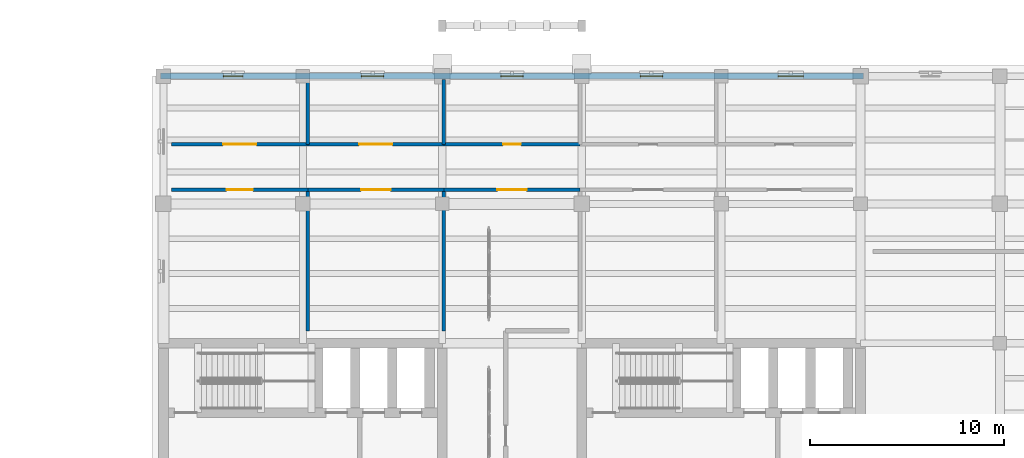
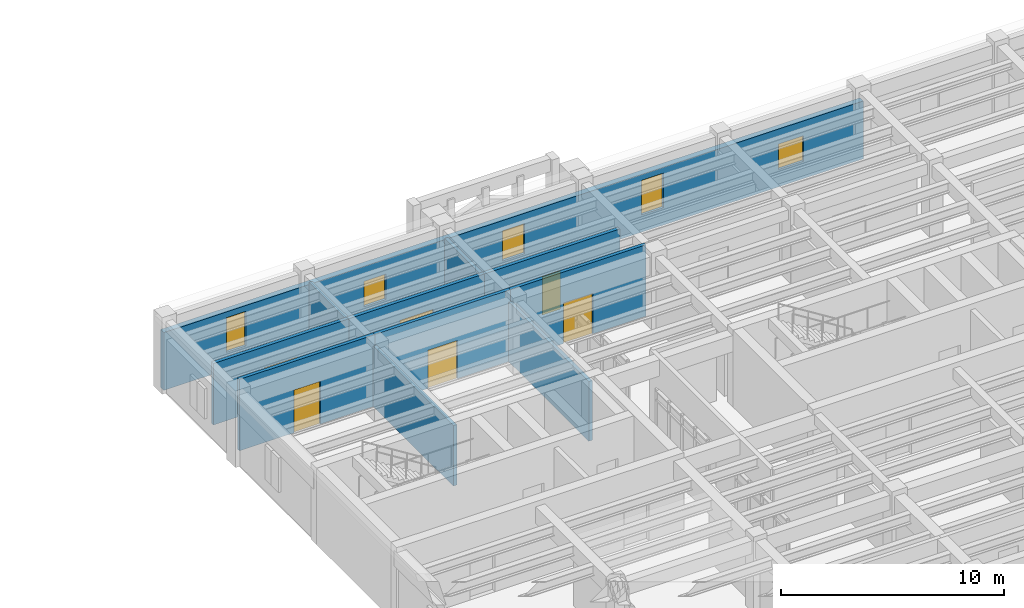
# One storey, part 58 of 76: 11 walls, 6 doors, 5 windows, 11 openings.
"""IFC4 building model written with IfcOpenShell, lengths in metres."""

from ifc_helpers import new_model, si_unit, direction, frame, frame_2d, origin, place, context, subcontext, project, spatial, rectangle, extrude, material, layer, layer_set, type_object, element, fill, save


model = new_model("IFC4")

# Units and contexts
model_context = context("Model", 3, precision=1e-05, world=origin(), true_north=direction((0.0, 1.0)))
body_context = subcontext(model_context, "Body", "Model", "MODEL_VIEW")
ifc_project = project(units=[si_unit("LENGTHUNIT", "METRE"), si_unit("AREAUNIT", "SQUARE_METRE"), si_unit("VOLUMEUNIT", "CUBIC_METRE"), si_unit("PLANEANGLEUNIT", "RADIAN"), si_unit("MASSUNIT", "GRAM", prefix="KILO")], contexts=[model_context])

# Site, building, storey
site_placement = place(None, origin())
site = spatial("IfcSite", under=ifc_project, at=site_placement, CompositionType="ELEMENT")
building_placement = place(site_placement, origin())
building = spatial("IfcBuilding", under=site, at=building_placement, Name="Mithqara Police Headquarters", CompositionType="ELEMENT")
storey_placement = place(building_placement, frame((0.0, 0.0, 5.39990234375)))
storey = spatial("IfcBuildingStorey", under=building, at=storey_placement, Name="L01", CompositionType="ELEMENT", Elevation=5.39990234375)

# Wall, openings, windows
ifc_material_1 = material(Name="Ochre masonry cavity wall, 35 MPa", Category="masonry")
ifc_layer_1 = layer(ifc_material_1, 0.300048828125, Name="Ochre masonry cavity wall, 35 MPa")
ifc_layer_set_1 = layer_set([ifc_layer_1], Name="Ochre masonry cavity wall, 35 MPa")
wall_type_1 = type_object("IfcWallType", Name="EXT WALL OCHRE BRICK300", PredefinedType="SOLIDWALL", material=ifc_layer_set_1)
wall_1_placement = place(storey_placement, frame((144.75, 114.0, 0.0), z_axis=(0.0, 0.0, 1.0), x_axis=(-1.0, 0.0, 0.0)))
wall_1 = element("IfcWall", 1, at=wall_1_placement, inside=storey, type_object=wall_type_1, Name="L01 Exterior Wall 10.1", PredefinedType="SOLIDWALL", context=body_context, shape_type="SweptSolid", body=[
    extrude(rectangle(XDim=36.300048828125, YDim=0.300048828125, at=frame_2d((18.14990234375, 0.0))), origin(), (0.0, 0.0, 1.0), 3.170166015625),
])
opening_1_placement = place(wall_1_placement, frame((32.050048828125, 0.0, 0.949951171875)))
opening_1 = element("IfcOpeningElement", 2, at=opening_1_placement, cuts=wall_1, Name="Opening W-08", PredefinedType="OPENING", context=body_context, shape_type="SweptSolid", body=[
    extrude(rectangle(XDim=1.0, YDim=1.89990234375, at=frame_2d((0.5, 0.949951171875))), frame((0.0, 0.16015625, 0.0), z_axis=(0.0, -1.0, 0.0), x_axis=(1.0, 0.0, 0.0)), (0.0, 0.0, 1.0), 0.320068359375),
])
opening_2_placement = place(wall_1_placement, frame((24.77490234375, 0.0, 0.949951171875)))
opening_2 = element("IfcOpeningElement", 3, at=opening_2_placement, cuts=wall_1, Name="Opening W-11", PredefinedType="OPENING", context=body_context, shape_type="SweptSolid", body=[
    extrude(rectangle(XDim=1.14990234375, YDim=1.39990234375, at=frame_2d((0.574951171875, 0.699951171875))), frame((0.0, 0.16015625, 0.0), z_axis=(0.0, -1.0, 0.0), x_axis=(1.0, 0.0, 0.0)), (0.0, 0.0, 1.0), 0.320068359375),
])
opening_3_placement = place(wall_1_placement, frame((17.574951171875, 0.0, 0.949951171875)))
opening_3 = element("IfcOpeningElement", 4, at=opening_3_placement, cuts=wall_1, Name="Opening W-12", PredefinedType="OPENING", context=body_context, shape_type="SweptSolid", body=[
    extrude(rectangle(XDim=1.14990234375, YDim=1.64990234375, at=frame_2d((0.574951171875, 0.824951171875))), frame((0.0, 0.16015625, 0.0), z_axis=(0.0, -1.0, 0.0), x_axis=(1.0, 0.0, 0.0)), (0.0, 0.0, 1.0), 0.320068359375),
])
opening_4_placement = place(wall_1_placement, frame((10.375, 0.0, 0.949951171875)))
opening_4 = element("IfcOpeningElement", 5, at=opening_4_placement, cuts=wall_1, Name="Opening W-13", PredefinedType="OPENING", context=body_context, shape_type="SweptSolid", body=[
    extrude(rectangle(XDim=1.14990234375, YDim=1.89990234375, at=frame_2d((0.574951171875, 0.949951171875))), frame((0.0, 0.16015625, 0.0), z_axis=(0.0, -1.0, 0.0), x_axis=(1.0, 0.0, 0.0)), (0.0, 0.0, 1.0), 0.320068359375),
])
opening_5_placement = place(wall_1_placement, frame((3.10009765625, 0.0, 0.949951171875)))
opening_5 = element("IfcOpeningElement", 6, at=opening_5_placement, cuts=wall_1, Name="Opening W-16", PredefinedType="OPENING", context=body_context, shape_type="SweptSolid", body=[
    extrude(rectangle(XDim=1.300048828125, YDim=1.39990234375, at=frame_2d((0.64990234375, 0.699951171875))), frame((0.0, 0.16015625, 0.0), z_axis=(0.0, -1.0, 0.0), x_axis=(1.0, 0.0, 0.0)), (0.0, 0.0, 1.0), 0.320068359375),
])
ifc_material_2 = material(Name="Spectrally selective double low-e glass", Category="glass")
window_type_1 = type_object("IfcWindowType", Name="WINDOW 1000X1900", PartitioningType="SINGLE_PANEL", PredefinedType="WINDOW", material=ifc_material_2)
window_1_placement = place(opening_1_placement, origin())
window_1 = element("IfcWindow", 7, at=window_1_placement, inside=storey, type_object=window_type_1, Name="L01 Command Block Screened Window 10.1", OverallHeight=1.89990234375, OverallWidth=1.0, PartitioningType="SINGLE_PANEL", PredefinedType="WINDOW", context=body_context, shape_type="SweptSolid", body=[
    extrude(rectangle(XDim=1.0, YDim=1.89990234375, at=frame_2d((0.5, 0.949951171875))), frame((0.0, 0.030029296875, 0.0), z_axis=(0.0, -1.0, 0.0), x_axis=(1.0, 0.0, 0.0)), (0.0, 0.0, 1.0), 0.06005859375),
])
fill(opening_1, window_1)
window_type_2 = type_object("IfcWindowType", Name="WINDOW 1150X1400", PartitioningType="SINGLE_PANEL", PredefinedType="WINDOW", material=ifc_material_2)
window_2_placement = place(opening_2_placement, origin())
window_2 = element("IfcWindow", 8, at=window_2_placement, inside=storey, type_object=window_type_2, Name="L01 Command Block Screened Window 10.2", OverallHeight=1.39990234375, OverallWidth=1.14990234375, PartitioningType="SINGLE_PANEL", PredefinedType="WINDOW", context=body_context, shape_type="SweptSolid", body=[
    extrude(rectangle(XDim=1.14990234375, YDim=1.39990234375, at=frame_2d((0.574951171875, 0.699951171875))), frame((0.0, 0.030029296875, 0.0), z_axis=(0.0, -1.0, 0.0), x_axis=(1.0, 0.0, 0.0)), (0.0, 0.0, 1.0), 0.06005859375),
])
fill(opening_2, window_2)
window_type_3 = type_object("IfcWindowType", Name="WINDOW 1150X1650", PartitioningType="SINGLE_PANEL", PredefinedType="WINDOW", material=ifc_material_2)
window_3_placement = place(opening_3_placement, origin())
window_3 = element("IfcWindow", 9, at=window_3_placement, inside=storey, type_object=window_type_3, Name="L01 Command Block Screened Window 10.3", OverallHeight=1.64990234375, OverallWidth=1.14990234375, PartitioningType="SINGLE_PANEL", PredefinedType="WINDOW", context=body_context, shape_type="SweptSolid", body=[
    extrude(rectangle(XDim=1.14990234375, YDim=1.64990234375, at=frame_2d((0.574951171875, 0.824951171875))), frame((0.0, 0.030029296875, 0.0), z_axis=(0.0, -1.0, 0.0), x_axis=(1.0, 0.0, 0.0)), (0.0, 0.0, 1.0), 0.06005859375),
])
fill(opening_3, window_3)
window_type_4 = type_object("IfcWindowType", Name="WINDOW 1150X1900", PartitioningType="SINGLE_PANEL", PredefinedType="WINDOW", material=ifc_material_2)
window_4_placement = place(opening_4_placement, origin())
window_4 = element("IfcWindow", 10, at=window_4_placement, inside=storey, type_object=window_type_4, Name="L01 Command Block Screened Window 10.4", OverallHeight=1.89990234375, OverallWidth=1.14990234375, PartitioningType="SINGLE_PANEL", PredefinedType="WINDOW", context=body_context, shape_type="SweptSolid", body=[
    extrude(rectangle(XDim=1.14990234375, YDim=1.89990234375, at=frame_2d((0.574951171875, 0.949951171875))), frame((0.0, 0.030029296875, 0.0), z_axis=(0.0, -1.0, 0.0), x_axis=(1.0, 0.0, 0.0)), (0.0, 0.0, 1.0), 0.06005859375),
])
fill(opening_4, window_4)
window_type_5 = type_object("IfcWindowType", Name="WINDOW 1300X1400", PartitioningType="SINGLE_PANEL", PredefinedType="WINDOW", material=ifc_material_2)
window_5_placement = place(opening_5_placement, origin())
window_5 = element("IfcWindow", 11, at=window_5_placement, inside=storey, type_object=window_type_5, Name="L01 Command Block Screened Window 10.5", OverallHeight=1.39990234375, OverallWidth=1.300048828125, PartitioningType="SINGLE_PANEL", PredefinedType="WINDOW", context=body_context, shape_type="SweptSolid", body=[
    extrude(rectangle(XDim=1.300048828125, YDim=1.39990234375, at=frame_2d((0.64990234375, 0.699951171875))), frame((0.0, 0.030029296875, 0.0), z_axis=(0.0, -1.0, 0.0), x_axis=(1.0, 0.0, 0.0)), (0.0, 0.0, 1.0), 0.06005859375),
])
fill(opening_5, window_5)

# Wall, opening, door
ifc_material_3 = material(Name="Concrete C40/50", Category="concrete")
ifc_layer_2 = layer(ifc_material_3, 0.179931640625, Name="Concrete C40/50")
ifc_layer_set_2 = layer_set([ifc_layer_2], Name="Concrete C40/50")
wall_type_2 = type_object("IfcWallType", Name="PART WALL 180", PredefinedType="PARTITIONING", material=ifc_layer_set_2)
wall_2_placement = place(storey_placement, frame((109.02001953125, 108.139892578125, 0.0), z_axis=(0.0, 0.0, 1.0), x_axis=(1.0, 0.0, 0.0)))
wall_2 = element("IfcWall", 12, at=wall_2_placement, inside=storey, type_object=wall_type_2, Name="L01 Corridor Wall Traffic Patrol Operations Room", PredefinedType="PARTITIONING", context=body_context, shape_type="SweptSolid", body=[
    extrude(rectangle(XDim=7.031982421875, YDim=0.179931640625, at=frame_2d((3.51611328125, 0.0))), origin(), (0.0, 0.0, 1.0), 3.920166015625),
])
opening_6_placement = place(wall_2_placement, frame((2.8359375, 0.0, 0.0)))
opening_6 = element("IfcOpeningElement", 13, at=opening_6_placement, cuts=wall_2, Name="Opening D-18", PredefinedType="OPENING", context=body_context, shape_type="SweptSolid", body=[
    extrude(rectangle(XDim=1.360107421875, YDim=2.35009765625, at=frame_2d((0.68017578125, 1.175048828125))), frame((0.0, 0.10009765625, 0.0), z_axis=(0.0, -1.0, 0.0), x_axis=(1.0, 0.0, 0.0)), (0.0, 0.0, 1.0), 0.199951171875),
])
ifc_material_4 = material(Name="Bronze anodised aluminium 6063-T6", Category="aluminium")
door_type_1 = type_object("IfcDoorType", Name="INT DOOR 1360X2350", OperationType="NOTDEFINED", PredefinedType="DOOR", material=ifc_material_4)
door_1_placement = place(opening_6_placement, frame((1.360107421875, 0.0, 0.0), z_axis=(0.0, 0.0, 1.0), x_axis=(-1.0, 0.0, 0.0)))
door_1 = element("IfcDoor", 14, at=door_1_placement, inside=storey, type_object=door_type_1, Name="Traffic Patrol Operations Room Entry Door", OperationType="SINGLE_SWING_LEFT", OverallHeight=2.35009765625, OverallWidth=1.360107421875, PredefinedType="DOOR", context=body_context, shape_type="SweptSolid", body=[
    extrude(rectangle(XDim=1.360107421875, YDim=2.35009765625, at=frame_2d((0.68017578125, 1.175048828125))), frame((0.0, 0.02490234375, 0.0), z_axis=(0.0, -1.0, 0.0), x_axis=(1.0, 0.0, 0.0)), (0.0, 0.0, 1.0), 0.050048828125),
])
fill(opening_6, door_1)

# Wall
wall_3_placement = place(storey_placement, frame((116.052001953125, 100.85009765625, 0.0), z_axis=(0.0, 0.0, 1.0), x_axis=(0.0, 1.0, 0.0)))
element("IfcWall", 15, at=wall_3_placement, inside=storey, type_object=wall_type_2, Name="L01 Room Partition Traffic Patrol Operations Room", PredefinedType="PARTITIONING", context=body_context, shape_type="SweptSolid", body=[
    extrude(rectangle(XDim=7.289794921875, YDim=0.179931640625, at=frame_2d((3.64501953125, 0.0))), origin(), (0.0, 0.0, 1.0), 3.320068359375),
])

# Wall, opening, door
wall_4_placement = place(storey_placement, frame((116.052001953125, 108.139892578125, 0.0), z_axis=(0.0, 0.0, 1.0), x_axis=(1.0, 0.0, 0.0)))
wall_4 = element("IfcWall", 16, at=wall_4_placement, inside=storey, type_object=wall_type_2, Name="L01 Corridor Wall Municipal Camera Liaison Room", PredefinedType="PARTITIONING", context=body_context, shape_type="SweptSolid", body=[
    extrude(rectangle(XDim=7.031982421875, YDim=0.179931640625, at=frame_2d((3.51611328125, 0.0))), origin(), (0.0, 0.0, 1.0), 3.920166015625),
])
opening_7_placement = place(wall_4_placement, frame((2.756103515625, 0.0, 0.0)))
opening_7 = element("IfcOpeningElement", 17, at=opening_7_placement, cuts=wall_4, Name="Opening D-19", PredefinedType="OPENING", context=body_context, shape_type="SweptSolid", body=[
    extrude(rectangle(XDim=1.52001953125, YDim=2.10009765625, at=frame_2d((0.760009765625, 1.050048828125))), frame((0.0, 0.10009765625, 0.0), z_axis=(0.0, -1.0, 0.0), x_axis=(1.0, 0.0, 0.0)), (0.0, 0.0, 1.0), 0.199951171875),
])
door_type_2 = type_object("IfcDoorType", Name="INT DOOR 1520X2100", OperationType="NOTDEFINED", PredefinedType="DOOR", material=ifc_material_4)
door_2_placement = place(opening_7_placement, frame((1.52001953125, 0.0, 0.0), z_axis=(0.0, 0.0, 1.0), x_axis=(-1.0, 0.0, 0.0)))
door_2 = element("IfcDoor", 18, at=door_2_placement, inside=storey, type_object=door_type_2, Name="Municipal Camera Liaison Room Entry Door", OperationType="DOUBLE_DOOR_SINGLE_SWING", OverallHeight=2.10009765625, OverallWidth=1.52001953125, PredefinedType="DOOR", context=body_context, shape_type="SweptSolid", body=[
    extrude(rectangle(XDim=1.52001953125, YDim=2.10009765625, at=frame_2d((0.760009765625, 1.050048828125))), frame((0.0, 0.02490234375, 0.0), z_axis=(0.0, -1.0, 0.0), x_axis=(1.0, 0.0, 0.0)), (0.0, 0.0, 1.0), 0.050048828125),
])
fill(opening_7, door_2)

# Wall
wall_5_placement = place(storey_placement, frame((123.083984375, 100.85009765625, 0.0), z_axis=(0.0, 0.0, 1.0), x_axis=(0.0, 1.0, 0.0)))
element("IfcWall", 19, at=wall_5_placement, inside=storey, type_object=wall_type_2, Name="L01 Room Partition Municipal Camera Liaison Room", PredefinedType="PARTITIONING", context=body_context, shape_type="SweptSolid", body=[
    extrude(rectangle(XDim=7.289794921875, YDim=0.179931640625, at=frame_2d((3.64501953125, 0.0))), origin(), (0.0, 0.0, 1.0), 3.27001953125),
])

# Wall, opening, door
wall_6_placement = place(storey_placement, frame((123.083984375, 108.139892578125, 0.0), z_axis=(0.0, 0.0, 1.0), x_axis=(1.0, 0.0, 0.0)))
wall_6 = element("IfcWall", 20, at=wall_6_placement, inside=storey, type_object=wall_type_2, Name="L01 Corridor Wall Briefing Room", PredefinedType="PARTITIONING", context=body_context, shape_type="SweptSolid", body=[
    extrude(rectangle(XDim=7.031982421875, YDim=0.179931640625, at=frame_2d((3.51611328125, 0.0))), origin(), (0.0, 0.0, 1.0), 3.920166015625),
])
opening_8_placement = place(wall_6_placement, frame((2.756103515625, 0.0, 0.0)))
opening_8 = element("IfcOpeningElement", 21, at=opening_8_placement, cuts=wall_6, Name="Opening D-20", PredefinedType="OPENING", context=body_context, shape_type="SweptSolid", body=[
    extrude(rectangle(XDim=1.52001953125, YDim=2.219970703125, at=frame_2d((0.760009765625, 1.10986328125))), frame((0.0, 0.10009765625, 0.0), z_axis=(0.0, -1.0, 0.0), x_axis=(1.0, 0.0, 0.0)), (0.0, 0.0, 1.0), 0.199951171875),
])
door_type_3 = type_object("IfcDoorType", Name="INT DOOR 1520X2220", OperationType="NOTDEFINED", PredefinedType="DOOR", material=ifc_material_4)
door_3_placement = place(opening_8_placement, frame((1.52001953125, 0.0, 0.0), z_axis=(0.0, 0.0, 1.0), x_axis=(-1.0, 0.0, 0.0)))
door_3 = element("IfcDoor", 22, at=door_3_placement, inside=storey, type_object=door_type_3, Name="Briefing Room Entry Door", OperationType="DOUBLE_DOOR_SINGLE_SWING", OverallHeight=2.219970703125, OverallWidth=1.52001953125, PredefinedType="DOOR", context=body_context, shape_type="SweptSolid", body=[
    extrude(rectangle(XDim=1.52001953125, YDim=2.219970703125, at=frame_2d((0.760009765625, 1.10986328125))), frame((0.0, 0.02490234375, 0.0), z_axis=(0.0, -1.0, 0.0), x_axis=(1.0, 0.0, 0.0)), (0.0, 0.0, 1.0), 0.050048828125),
])
fill(opening_8, door_3)

wall_7_placement = place(storey_placement, frame((109.02001953125, 110.47998046875, 0.0), z_axis=(0.0, 0.0, 1.0), x_axis=(1.0, 0.0, 0.0)))
wall_7 = element("IfcWall", 23, at=wall_7_placement, inside=storey, type_object=wall_type_2, Name="L01 Corridor Wall Municipal Camera Liaison Room", PredefinedType="PARTITIONING", context=body_context, shape_type="SweptSolid", body=[
    extrude(rectangle(XDim=7.031982421875, YDim=0.179931640625, at=frame_2d((3.51611328125, 0.0))), origin(), (0.0, 0.0, 1.0), 3.3701171875),
])
opening_9_placement = place(wall_7_placement, frame((2.656005859375, 0.0, 0.0)))
opening_9 = element("IfcOpeningElement", 24, at=opening_9_placement, cuts=wall_7, Name="Opening D-23", PredefinedType="OPENING", context=body_context, shape_type="SweptSolid", body=[
    extrude(rectangle(XDim=1.719970703125, YDim=2.219970703125, at=frame_2d((0.85986328125, 1.10986328125))), frame((0.0, 0.10009765625, 0.0), z_axis=(0.0, -1.0, 0.0), x_axis=(1.0, 0.0, 0.0)), (0.0, 0.0, 1.0), 0.199951171875),
])
door_type_4 = type_object("IfcDoorType", Name="INT DOOR 1720X2220", OperationType="NOTDEFINED", PredefinedType="DOOR", material=ifc_material_4)
door_4_placement = place(opening_9_placement, origin())
door_4 = element("IfcDoor", 25, at=door_4_placement, inside=storey, type_object=door_type_4, Name="Municipal Camera Liaison Room Entry Door", OperationType="DOUBLE_DOOR_SINGLE_SWING", OverallHeight=2.219970703125, OverallWidth=1.719970703125, PredefinedType="DOOR", context=body_context, shape_type="SweptSolid", body=[
    extrude(rectangle(XDim=1.719970703125, YDim=2.219970703125, at=frame_2d((0.85986328125, 1.10986328125))), frame((0.0, 0.02490234375, 0.0), z_axis=(0.0, -1.0, 0.0), x_axis=(1.0, 0.0, 0.0)), (0.0, 0.0, 1.0), 0.050048828125),
])
fill(opening_9, door_4)

# Wall
wall_8_placement = place(storey_placement, frame((116.052001953125, 110.47998046875, 0.0), z_axis=(0.0, 0.0, 1.0), x_axis=(0.0, 1.0, 0.0)))
element("IfcWall", 26, at=wall_8_placement, inside=storey, type_object=wall_type_2, Name="L01 Room Partition Municipal Camera Liaison Room", PredefinedType="PARTITIONING", context=body_context, shape_type="SweptSolid", body=[
    extrude(rectangle(XDim=3.340087890625, YDim=0.179931640625, at=frame_2d((1.669921875, 0.0))), origin(), (0.0, 0.0, 1.0), 3.320068359375),
])

# Wall, opening, door
wall_9_placement = place(storey_placement, frame((116.052001953125, 110.47998046875, 0.0), z_axis=(0.0, 0.0, 1.0), x_axis=(1.0, 0.0, 0.0)))
wall_9 = element("IfcWall", 27, at=wall_9_placement, inside=storey, type_object=wall_type_2, Name="L01 Corridor Wall Briefing Room", PredefinedType="PARTITIONING", context=body_context, shape_type="SweptSolid", body=[
    extrude(rectangle(XDim=7.031982421875, YDim=0.179931640625, at=frame_2d((3.51611328125, 0.0))), origin(), (0.0, 0.0, 1.0), 3.3701171875),
])
opening_10_placement = place(wall_9_placement, frame((2.656005859375, 0.0, 0.0)))
opening_10 = element("IfcOpeningElement", 28, at=opening_10_placement, cuts=wall_9, Name="Opening D-24", PredefinedType="OPENING", context=body_context, shape_type="SweptSolid", body=[
    extrude(rectangle(XDim=1.719970703125, YDim=2.35009765625, at=frame_2d((0.85986328125, 1.175048828125))), frame((0.0, 0.10009765625, 0.0), z_axis=(0.0, -1.0, 0.0), x_axis=(1.0, 0.0, 0.0)), (0.0, 0.0, 1.0), 0.199951171875),
])
door_type_5 = type_object("IfcDoorType", Name="INT DOOR 1720X2350", OperationType="NOTDEFINED", PredefinedType="DOOR", material=ifc_material_4)
door_5_placement = place(opening_10_placement, origin())
door_5 = element("IfcDoor", 29, at=door_5_placement, inside=storey, type_object=door_type_5, Name="Briefing Room Entry Door", OperationType="DOUBLE_DOOR_SINGLE_SWING", OverallHeight=2.35009765625, OverallWidth=1.719970703125, PredefinedType="DOOR", context=body_context, shape_type="SweptSolid", body=[
    extrude(rectangle(XDim=1.719970703125, YDim=2.35009765625, at=frame_2d((0.85986328125, 1.175048828125))), frame((0.0, 0.02490234375, 0.0), z_axis=(0.0, -1.0, 0.0), x_axis=(1.0, 0.0, 0.0)), (0.0, 0.0, 1.0), 0.050048828125),
])
fill(opening_10, door_5)

# Wall
wall_10_placement = place(storey_placement, frame((123.083984375, 110.47998046875, 0.0), z_axis=(0.0, 0.0, 1.0), x_axis=(0.0, 1.0, 0.0)))
element("IfcWall", 30, at=wall_10_placement, inside=storey, type_object=wall_type_2, Name="L01 Room Partition Briefing Room", PredefinedType="PARTITIONING", context=body_context, shape_type="SweptSolid", body=[
    extrude(rectangle(XDim=3.340087890625, YDim=0.179931640625, at=frame_2d((1.669921875, 0.0))), origin(), (0.0, 0.0, 1.0), 3.27001953125),
])

# Wall, opening, door
wall_11_placement = place(storey_placement, frame((123.083984375, 110.47998046875, 0.0), z_axis=(0.0, 0.0, 1.0), x_axis=(1.0, 0.0, 0.0)))
wall_11 = element("IfcWall", 31, at=wall_11_placement, inside=storey, type_object=wall_type_2, Name="L01 Corridor Wall Duty Sergeant Office", PredefinedType="PARTITIONING", context=body_context, shape_type="SweptSolid", body=[
    extrude(rectangle(XDim=7.031982421875, YDim=0.179931640625, at=frame_2d((3.51611328125, 0.0))), origin(), (0.0, 0.0, 1.0), 3.3701171875),
])
opening_11_placement = place(wall_11_placement, frame((3.055908203125, 0.0, 0.0)))
opening_11 = element("IfcOpeningElement", 32, at=opening_11_placement, cuts=wall_11, Name="Opening D-01", PredefinedType="OPENING", context=body_context, shape_type="SweptSolid", body=[
    extrude(rectangle(XDim=0.919921875, YDim=2.10009765625, at=frame_2d((0.4599609375, 1.050048828125))), frame((0.0, 0.10009765625, 0.0), z_axis=(0.0, -1.0, 0.0), x_axis=(1.0, 0.0, 0.0)), (0.0, 0.0, 1.0), 0.199951171875),
])
ifc_material_5 = material(Name="Acoustic solid-core timber leaf", Category="wood")
door_type_6 = type_object("IfcDoorType", Name="INT DOOR 920X2100", OperationType="NOTDEFINED", PredefinedType="DOOR", material=ifc_material_5)
door_6_placement = place(opening_11_placement, origin())
door_6 = element("IfcDoor", 33, at=door_6_placement, inside=storey, type_object=door_type_6, Name="Duty Sergeant Office Entry Door", OperationType="SINGLE_SWING_RIGHT", OverallHeight=2.10009765625, OverallWidth=0.919921875, PredefinedType="DOOR", context=body_context, shape_type="SweptSolid", body=[
    extrude(rectangle(XDim=0.919921875, YDim=2.10009765625, at=frame_2d((0.4599609375, 1.050048828125))), frame((0.0, 0.02490234375, 0.0), z_axis=(0.0, -1.0, 0.0), x_axis=(1.0, 0.0, 0.0)), (0.0, 0.0, 1.0), 0.050048828125),
])
fill(opening_11, door_6)

save(model, "model.ifc")
